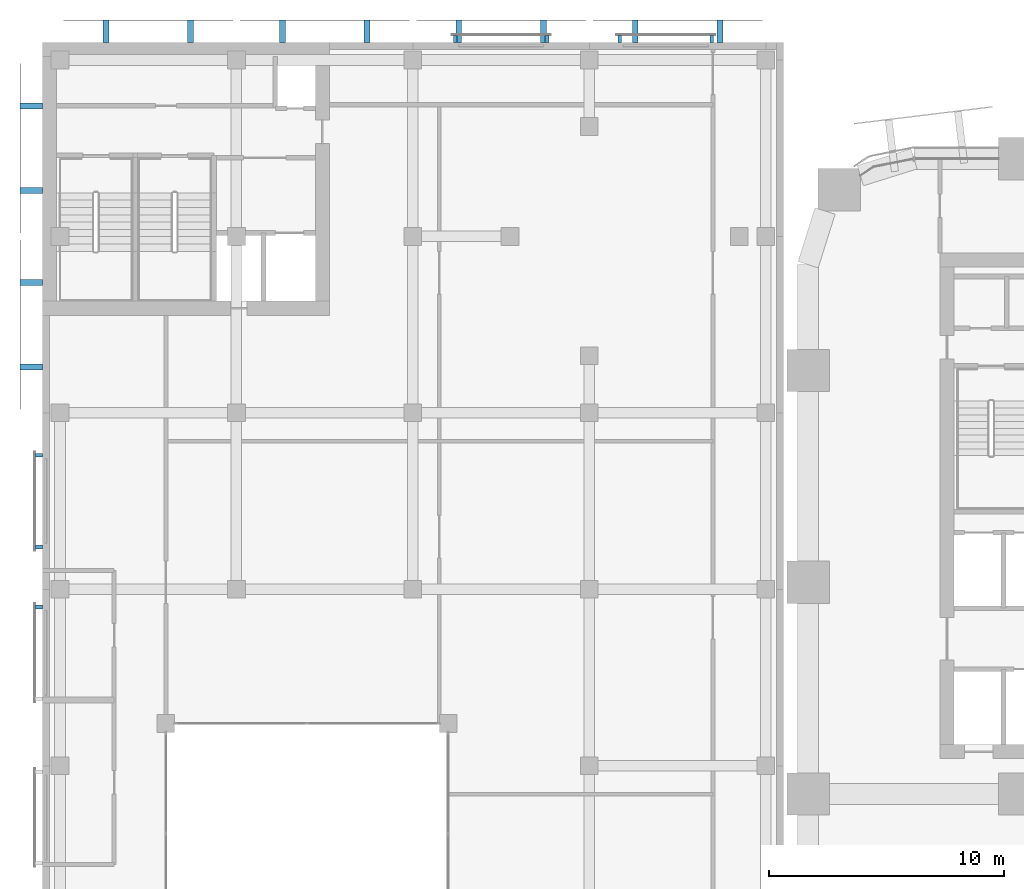
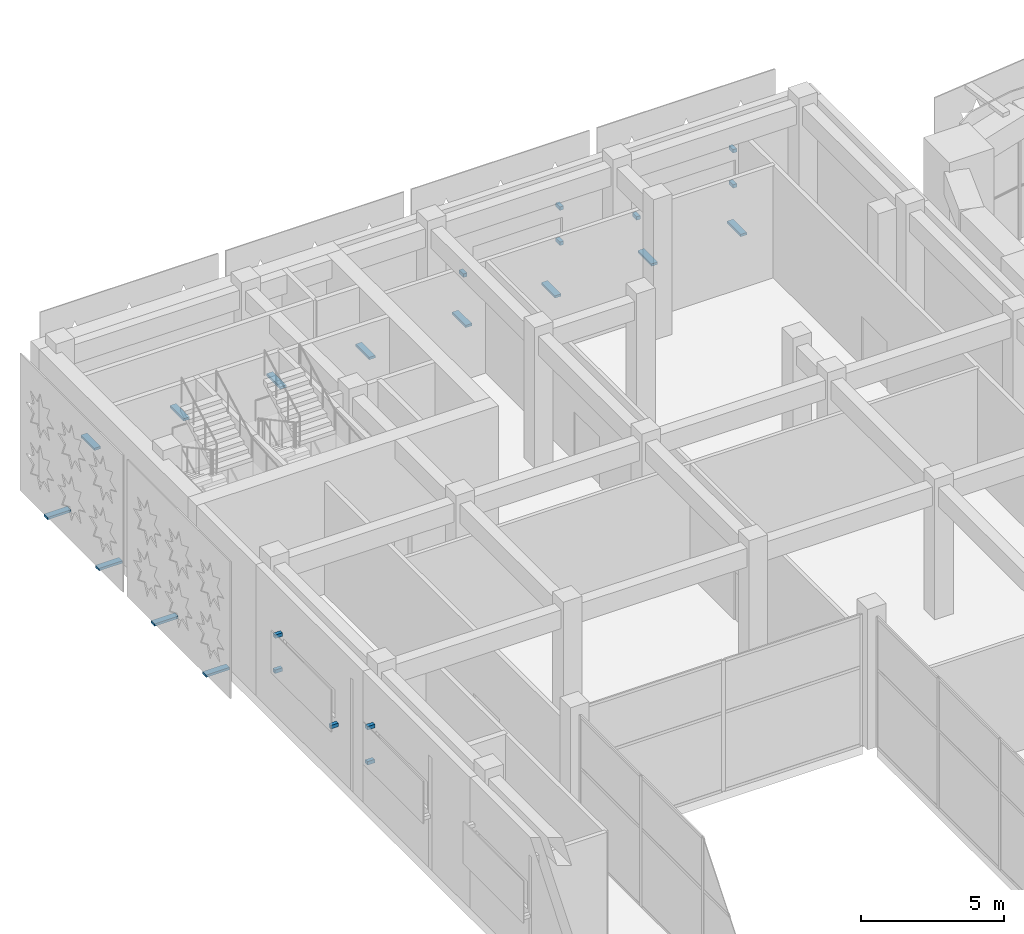
# One storey, part 27 of 46: 23 discrete accessories.
"""IFC4 building model written with IfcOpenShell, lengths in metres."""

from ifc_helpers import new_model, si_unit, direction, frame, origin, origin_2d, place, context, subcontext, project, spatial, rectangle, extrude, element, save


model = new_model("IFC4")

# Units and contexts
model_context = context("Model", 3, precision=1e-05, world=origin(), true_north=direction((0.0, 1.0)))
body_context = subcontext(model_context, "Body", "Model", "MODEL_VIEW")
ifc_project = project(units=[si_unit("LENGTHUNIT", "METRE"), si_unit("AREAUNIT", "SQUARE_METRE"), si_unit("VOLUMEUNIT", "CUBIC_METRE"), si_unit("PLANEANGLEUNIT", "RADIAN"), si_unit("MASSUNIT", "GRAM", prefix="KILO")], contexts=[model_context])

# Site, building, storey
site_placement = place(None, origin())
site = spatial("IfcSite", under=ifc_project, at=site_placement, CompositionType="ELEMENT")
building_placement = place(site_placement, origin())
building = spatial("IfcBuilding", under=site, at=building_placement, Name="Tessera Arch", CompositionType="ELEMENT")
storey_placement = place(building_placement, frame((0.0, 0.0, 8.0)))
storey = spatial("IfcBuildingStorey", under=building, at=storey_placement, Name="L01", CompositionType="ELEMENT", Elevation=8.0)

# Discrete accessories
for number, where, z_axis, x_axis, name in (
    (1, (-4.10009765625, 59.10009765625, 2.175048828125), (0.0, 0.0, 1.0), (0.0, 1.0, 0.0), "Screen bracket"),
    (2, (-8.0, 59.10009765625, 2.175048828125), (0.0, 0.0, 1.0), (0.0, 1.0, 0.0), "Screen bracket"),
    (3, (-4.10009765625, 59.10009765625, 3.675048828125), (0.0, 0.0, 1.0), (0.0, 1.0, 0.0), "Screen bracket"),
    (4, (-11.10009765625, 59.10009765625, 2.175048828125), (0.0, 0.0, 1.0), (0.0, 1.0, 0.0), "Screen bracket"),
    (5, (-15.0, 59.10009765625, 2.175048828125), (0.0, 0.0, 1.0), (0.0, 1.0, 0.0), "Screen bracket"),
    (6, (-11.10009765625, 59.10009765625, 3.675048828125), (0.0, 0.0, 1.0), (0.0, 1.0, 0.0), "Screen bracket"),
    (7, (-32.699951171875, 41.39990234375, 2.175048828125), (0.0, 0.0, 1.0), (-1.0, 0.0, 0.0), "Screen bracket"),
    (8, (-32.699951171875, 37.5, 2.175048828125), (0.0, 0.0, 1.0), (-1.0, 0.0, 0.0), "Screen bracket"),
    (9, (-32.699951171875, 41.39990234375, 3.675048828125), (0.0, 0.0, 1.0), (-1.0, 0.0, 0.0), "Screen bracket"),
    (10, (-32.699951171875, 34.949951171875, 2.175048828125), (0.0, 0.0, 1.0), (-1.0, 0.0, 0.0), "Screen bracket"),
    (11, (-32.699951171875, 34.949951171875, 3.675048828125), (0.0, 0.0, 1.0), (-1.0, 0.0, 0.0), "Screen bracket"),
):
    element("IfcDiscreteAccessory", number, at=place(storey_placement, frame(where, z_axis=z_axis, x_axis=x_axis)), inside=storey, Name=name, PredefinedType="BRACKET", context=body_context, shape_type="SweptSolid", body=[
        extrude(rectangle(XDim=0.300048828125, YDim=0.14990234375, at=origin_2d()), origin(), (0.0, 0.0, 1.0), 0.14990234375),
    ])
for number, where, z_axis, x_axis, name in (
    (12, (-3.75, 59.425048828125, 0.0), (0.0, 0.0, 1.0), (0.0, 1.0, 0.0), "Screen panel bracket"),
    (13, (-7.35009765625, 59.425048828125, 0.0), (0.0, 0.0, 1.0), (0.0, 1.0, 0.0), "Screen panel bracket"),
    (14, (-11.25, 59.425048828125, 0.0), (0.0, 0.0, 1.0), (0.0, 1.0, 0.0), "Screen panel bracket"),
    (15, (-14.85009765625, 59.425048828125, 0.0), (0.0, 0.0, 1.0), (0.0, 1.0, 0.0), "Screen panel bracket"),
    (16, (-18.75, 59.425048828125, 0.0), (0.0, 0.0, 1.0), (0.0, 1.0, 0.0), "Screen panel bracket"),
    (17, (-22.35009765625, 59.425048828125, 0.0), (0.0, 0.0, 1.0), (0.0, 1.0, 0.0), "Screen panel bracket"),
    (18, (-26.25, 59.425048828125, 0.0), (0.0, 0.0, 1.0), (0.0, 1.0, 0.0), "Screen panel bracket"),
    (19, (-29.85009765625, 59.425048828125, 0.0), (0.0, 0.0, 1.0), (0.0, 1.0, 0.0), "Screen panel bracket"),
    (20, (-33.02490234375, 56.25, 0.0), (0.0, 0.0, 1.0), (-1.0, 0.0, 0.0), "Screen panel bracket"),
    (21, (-33.02490234375, 52.64990234375, 0.0), (0.0, 0.0, 1.0), (-1.0, 0.0, 0.0), "Screen panel bracket"),
    (22, (-33.02490234375, 48.75, 0.0), (0.0, 0.0, 1.0), (-1.0, 0.0, 0.0), "Screen panel bracket"),
    (23, (-33.02490234375, 45.14990234375, 0.0), (0.0, 0.0, 1.0), (-1.0, 0.0, 0.0), "Screen panel bracket"),
):
    element("IfcDiscreteAccessory", number, at=place(storey_placement, frame(where, z_axis=z_axis, x_axis=x_axis)), inside=storey, Name=name, PredefinedType="BRACKET", context=body_context, shape_type="SweptSolid", body=[
        extrude(rectangle(XDim=0.949951171875, YDim=0.25, at=origin_2d()), origin(), (0.0, 0.0, 1.0), 0.10009765625),
    ])

save(model, "model.ifc")
